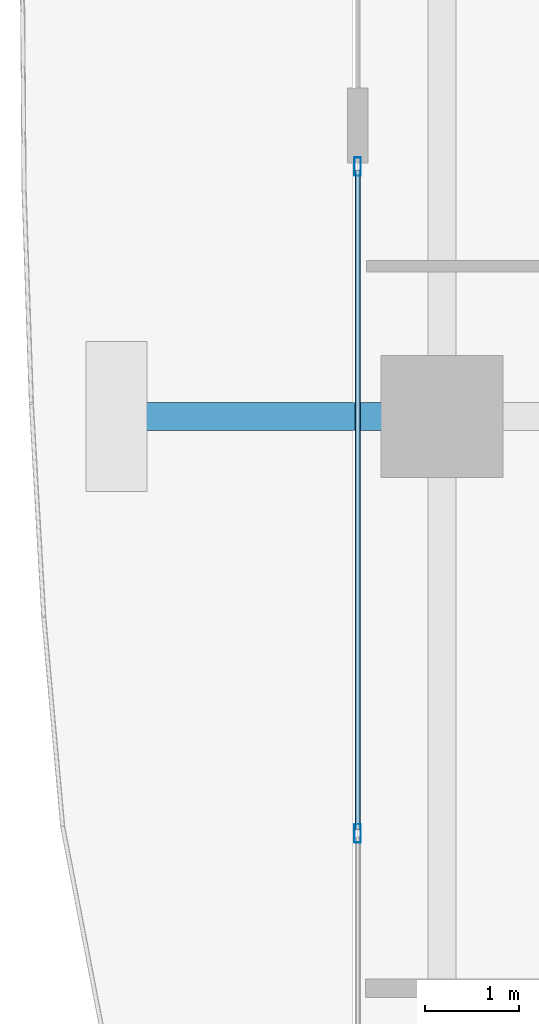
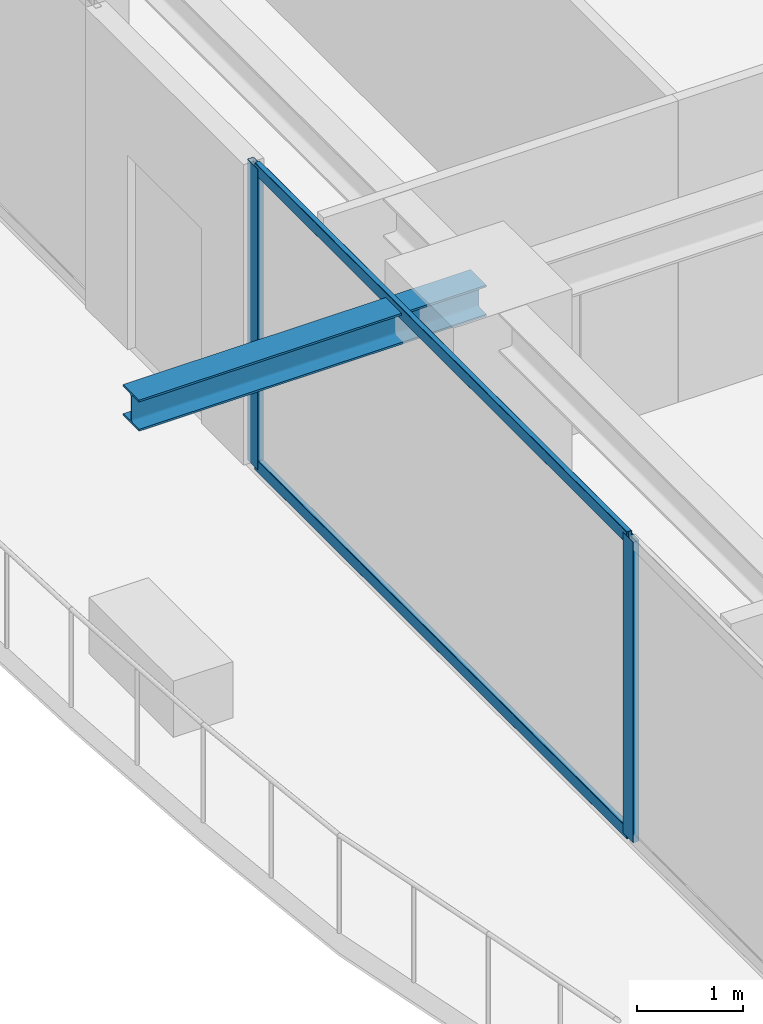
# One storey, part 8 of 39: 4 members, 1 beam, 1 element without a shape of its own.
"""IFC4 building model written with IfcOpenShell, lengths in metres."""

from ifc_helpers import new_model, si_unit, direction, frame, origin, origin_2d, place, context, subcontext, project, spatial, hollow_rectangle, i_section, extrude, source, transform, mapped, material, layer, layer_set, material_profile, profile_set, type_object, element, aggregate, save


model = new_model("IFC4")

# Units and contexts
model_context = context("Model", 3, precision=1e-05, world=origin(), true_north=direction((0.0, 1.0)))
body_context = subcontext(model_context, "Body", "Model", "MODEL_VIEW")
ifc_project = project(units=[si_unit("LENGTHUNIT", "METRE"), si_unit("AREAUNIT", "SQUARE_METRE"), si_unit("VOLUMEUNIT", "CUBIC_METRE"), si_unit("PLANEANGLEUNIT", "RADIAN"), si_unit("MASSUNIT", "GRAM", prefix="KILO")], contexts=[model_context])

# Site, building, storey
site_placement = place(None, origin())
site = spatial("IfcSite", under=ifc_project, at=site_placement, CompositionType="ELEMENT")
building_placement = place(site_placement, origin())
building = spatial("IfcBuilding", under=site, at=building_placement, Name="Serunith Strait Residences", CompositionType="ELEMENT")
storey_placement = place(building_placement, frame((0.0, 0.0, 168.89990234375)))
storey = spatial("IfcBuildingStorey", under=building, at=storey_placement, Name="L42", CompositionType="ELEMENT", Elevation=168.89990234375)

# Beam
ifc_material_1 = material(Name="Steel S355J2", Category="steel")
ifc_material_profile_1 = material_profile(ifc_material_1, i_section(OverallWidth=0.300048828125, OverallDepth=0.360107421875, WebThickness=0.012451171875, FlangeThickness=0.0224609375, FilletRadius=0.027099609375, at=origin_2d()), Name="HEB 360")
ifc_profile_set_1 = profile_set([ifc_material_profile_1], Name="Steel S355J2")
beam_type = type_object("IfcBeamType", Name="BM-HEB360", PredefinedType="BEAM", material=ifc_profile_set_1)
shared_shape_1 = source(origin(), body_context, "Body", "SweptSolid", [
    extrude(i_section(OverallWidth=0.300048828125, OverallDepth=0.360107421875, WebThickness=0.012451171875, FlangeThickness=0.0224609375, FilletRadius=0.027099609375, at=origin_2d()), origin(), (0.0, 0.0, 1.0), 3.800048828125),
])
beam_placement = place(storey_placement, frame((8.699951171875, 21.0, 3.277099609375), z_axis=(-1.0, 0.0, 0.0), x_axis=(0.0, -1.0, 0.0)))
element("IfcBeam", 1, at=beam_placement, inside=storey, type_object=beam_type, Name="L43 Cantilevered Balcony Rib TC-W2", PredefinedType="BEAM", context=body_context, shape_type="MappedRepresentation", body=[
    mapped(shared_shape_1, transform((0.0, 0.0, 0.0), scale=1.0)),
])

# Curtain wall, members
ifc_material_2 = material(Name="Pale-Champagne Anodised Aluminium", Category="aluminium")
ifc_layer = layer(ifc_material_2, 0.199951171875, Name="Pale-Champagne Anodised Aluminium")
ifc_layer_set = layer_set([ifc_layer], Name="Pale-Champagne Anodised Aluminium")
curtain_wall_type = type_object("IfcCurtainWallType", Name="CW-SYS2", PredefinedType="NOTDEFINED", material=ifc_layer_set)
curtain_wall_placement = place(storey_placement, origin())
curtain_wall = element("IfcCurtainWall", 2, at=curtain_wall_placement, inside=storey, type_object=curtain_wall_type, Name="L42 W Unitised Fritted Curtain Wall", PredefinedType="NOTDEFINED")
ifc_material_profile_2 = material_profile(ifc_material_2, hollow_rectangle(XDim=0.070068359375, YDim=0.199951171875, WallThickness=0.00390625, InnerFilletRadius=0.006103515625, OuterFilletRadius=0.010009765625, at=origin_2d()), Name="ALU 200x70x4")
ifc_profile_set_2 = profile_set([ifc_material_profile_2], Name="Pale-Champagne Anodised Aluminium")
member_type_1 = type_object("IfcMemberType", Name="CW-SYS2-MULL", PredefinedType="MULLION", material=ifc_profile_set_2)
shared_shape_2 = source(origin(), body_context, "Body", "SweptSolid", [
    extrude(hollow_rectangle(XDim=0.070068359375, YDim=0.199951171875, WallThickness=0.00390625, InnerFilletRadius=0.006103515625, OuterFilletRadius=0.010009765625, at=origin_2d()), origin(), (0.0, 0.0, 1.0), 3.47509765625),
])
member_1_placement = place(storey_placement, frame((7.800048828125, 23.6650390625, 0.0), z_axis=(0.0, 0.0, 1.0), x_axis=(1.0, 0.0, 0.0)))
member_1 = element("IfcMember", 3, at=member_1_placement, type_object=member_type_1, Name="CW-2 mullion 1", PredefinedType="MULLION", context=body_context, shape_type="MappedRepresentation", body=[
    mapped(shared_shape_2, transform((0.0, 0.0, 0.0), scale=1.0)),
])
member_2_placement = place(storey_placement, frame((7.800048828125, 16.550048828125, 0.0), z_axis=(0.0, 0.0, 1.0), x_axis=(1.0, 0.0, 0.0)))
member_2 = element("IfcMember", 4, at=member_2_placement, type_object=member_type_1, Name="CW-2 mullion 2", PredefinedType="MULLION", context=body_context, shape_type="MappedRepresentation", body=[
    mapped(shared_shape_2, transform((0.0, 0.0, 0.0), scale=1.0)),
])
ifc_material_profile_3 = material_profile(ifc_material_2, hollow_rectangle(XDim=0.06005859375, YDim=0.139892578125, WallThickness=0.00341796875, InnerFilletRadius=0.00537109375, OuterFilletRadius=0.0087890625, at=origin_2d()), Name="ALU 140x60x3.5")
ifc_profile_set_3 = profile_set([ifc_material_profile_3], Name="Pale-Champagne Anodised Aluminium")
member_type_2 = type_object("IfcMemberType", Name="CW-SYS2-TRAN", PredefinedType="USERDEFINED", material=ifc_profile_set_3)
shared_shape_3 = source(origin(), body_context, "Body", "SweptSolid", [
    extrude(hollow_rectangle(XDim=0.06005859375, YDim=0.139892578125, WallThickness=0.00341796875, InnerFilletRadius=0.00537109375, OuterFilletRadius=0.0087890625, at=origin_2d()), origin(), (0.0, 0.0, 1.0), 7.044921875),
])
member_3_placement = place(storey_placement, frame((7.800048828125, 23.6298828125, 0.030029296875), z_axis=(0.0, -1.0, 0.0), x_axis=(1.0, 0.0, 0.0)))
member_3 = element("IfcMember", 5, at=member_3_placement, type_object=member_type_2, Name="CW-2 transom 1.1", ObjectType="TRANSOM", PredefinedType="USERDEFINED", context=body_context, shape_type="MappedRepresentation", body=[
    mapped(shared_shape_3, transform((0.0, 0.0, 0.0), scale=1.0)),
])
member_4_placement = place(storey_placement, frame((7.800048828125, 23.6298828125, 3.445068359375), z_axis=(0.0, -1.0, 0.0), x_axis=(1.0, 0.0, 0.0)))
member_4 = element("IfcMember", 6, at=member_4_placement, type_object=member_type_2, Name="CW-2 transom 1.2", ObjectType="TRANSOM", PredefinedType="USERDEFINED", context=body_context, shape_type="MappedRepresentation", body=[
    mapped(shared_shape_3, transform((0.0, 0.0, 0.0), scale=1.0)),
])
aggregate(curtain_wall, [member_1, member_2, member_3, member_4])

save(model, "model.ifc")
